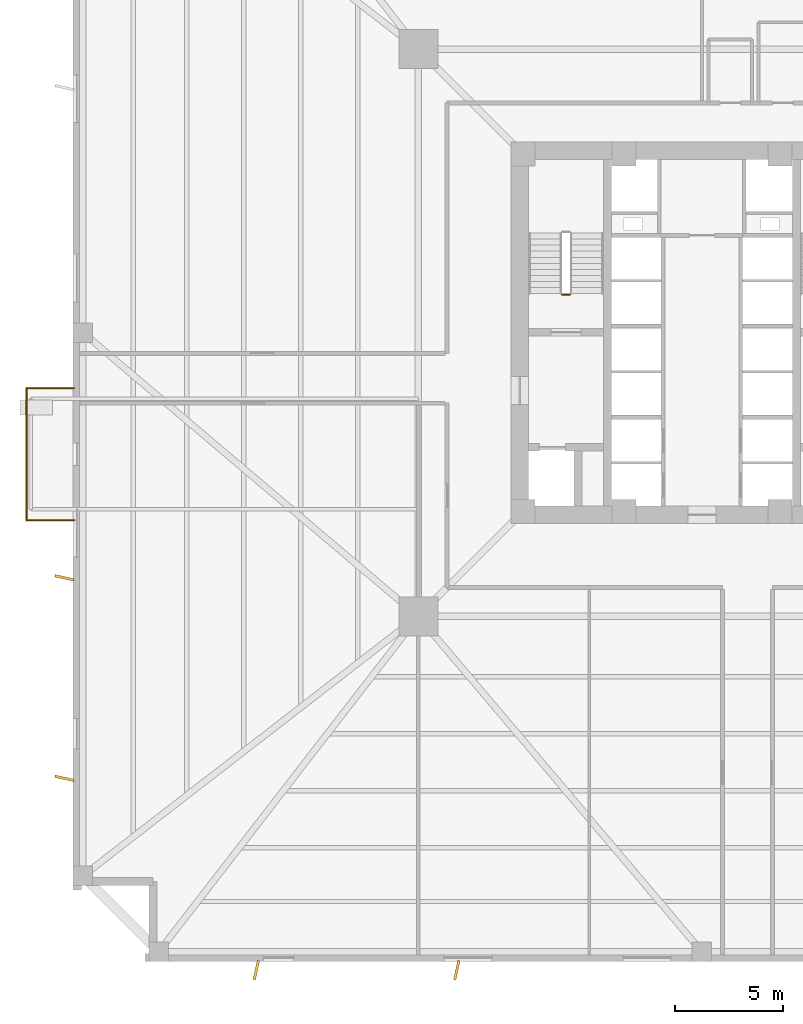
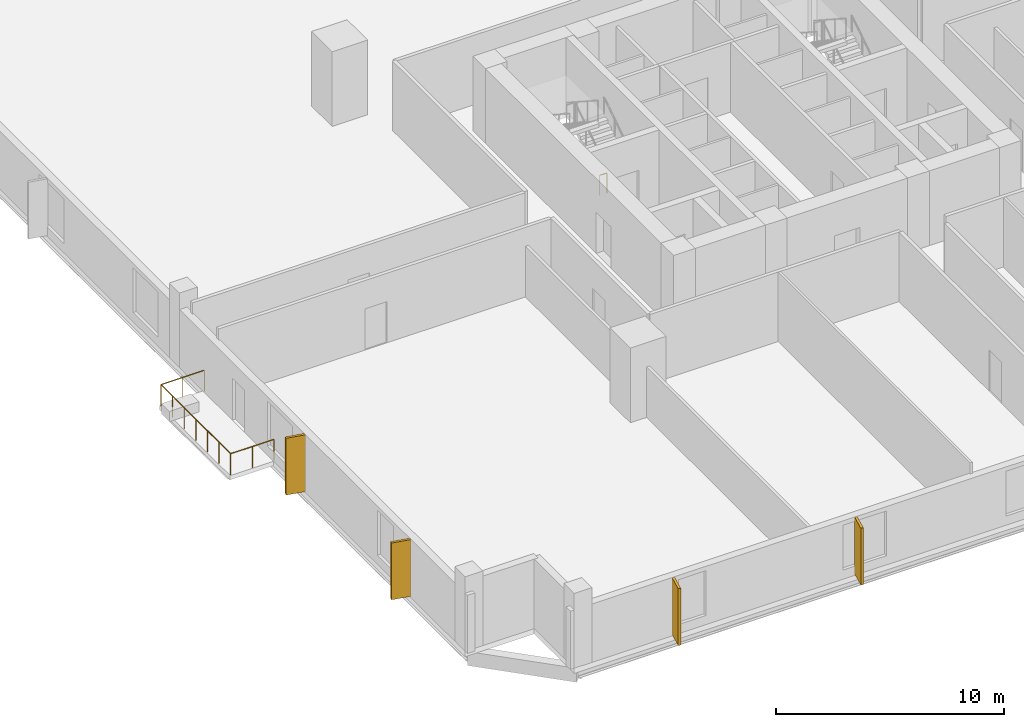
# One storey, part 6 of 9: 4 coverings, 4 railings.
"""IFC4 building model written with IfcOpenShell, lengths in metres."""

from ifc_helpers import new_model, si_unit, direction, frame, origin, origin_2d, place, context, subcontext, project, spatial, rectangle, circle, extrude, source, transform, mapped, material, layer, layer_set, type_object, element, save


model = new_model("IFC4")

# Units and contexts
model_context = context("Model", 3, precision=1e-05, world=origin(), true_north=direction((0.0, 1.0)))
body_context = subcontext(model_context, "Body", "Model", "MODEL_VIEW")
ifc_project = project(units=[si_unit("LENGTHUNIT", "METRE"), si_unit("AREAUNIT", "SQUARE_METRE"), si_unit("VOLUMEUNIT", "CUBIC_METRE"), si_unit("PLANEANGLEUNIT", "RADIAN"), si_unit("MASSUNIT", "GRAM", prefix="KILO"), si_unit("THERMODYNAMICTEMPERATUREUNIT", "KELVIN")], contexts=[model_context])

# Site, building, storey
site_placement = place(None, origin())
site = spatial("IfcSite", under=ifc_project, at=site_placement, CompositionType="ELEMENT")
building_placement = place(site_placement, origin())
building = spatial("IfcBuilding", under=site, at=building_placement, Name="Kosmvard Interchange Tower", CompositionType="ELEMENT")
storey_placement = place(building_placement, frame((0.0, 0.0, 58.0)))
storey = spatial("IfcBuildingStorey", under=building, at=storey_placement, Name="L13", CompositionType="ELEMENT", Elevation=58.0)

# Coverings
ifc_material_1 = material(Name="Architectural anodised aluminium", Category="aluminium")
ifc_layer = layer(ifc_material_1, 0.1201171875, Name="Architectural anodised aluminium")
ifc_layer_set = layer_set([ifc_layer], Name="Architectural anodised aluminium")
covering_type = type_object("IfcCoveringType", Name="Rotating Vertical Sun-Breaker Fin 900x120 Aluminium", PredefinedType="CLADDING", material=ifc_layer_set)
shared_shape_1 = source(origin(), body_context, "Body", "SweptSolid", [
    extrude(rectangle(XDim=0.89990234375, YDim=0.1201171875, at=origin_2d()), origin(), (0.0, 0.0, 1.0), 3.0400390625),
])
for number, where, z_axis, x_axis, name in (
    (1, (-20.552001953125, -29.39990234375, 0.0400390625), (0.0, 0.0, 1.0), (-0.214564862428, -0.976709741843, 0.0), "L13 Rotating Vertical Sun-Breaker Fin 01"),
    (2, (-11.3037109375, -29.39990234375, 0.0400390625), (0.0, 0.0, 1.0), (-0.214564862428, -0.976709741843, 0.0), "L13 Rotating Vertical Sun-Breaker Fin 02"),
    (3, (-29.39990234375, -11.3037109375, 0.0400390625), (0.0, 0.0, 1.0), (-0.976709741843, 0.214564862428, 0.0), "L13 Rotating Vertical Sun-Breaker Fin 15"),
    (4, (-29.39990234375, -20.552001953125, 0.0400390625), (0.0, 0.0, 1.0), (-0.976709741843, 0.214564862428, 0.0), "L13 Rotating Vertical Sun-Breaker Fin 16"),
):
    element("IfcCovering", number, at=place(storey_placement, frame(where, z_axis=z_axis, x_axis=x_axis)), inside=storey, type_object=covering_type, Name=name, PredefinedType="CLADDING", context=body_context, shape_type="MappedRepresentation", body=[
        mapped(shared_shape_1, transform((0.0, 0.0, 0.0), scale=1.0)),
    ])

# Railings
ifc_material_2 = material(Name="Steel S355", Category="steel")
railing_type_1 = type_object("IfcRailingType", Name="Observation & Balcony Glass-Infill Balustrade 1150", PredefinedType="BALUSTRADE", material=ifc_material_2)
shared_shape_2 = source(origin(), body_context, "Body", "SweptSolid", [
    extrude(circle(Radius=0.02392578125, at=origin_2d()), frame((0.0, 0.0, 1.1259765625), z_axis=(1.0, 0.0, 0.0), x_axis=(0.0, 1.0, 0.0)), (0.0, 0.0, 1.0), 2.199951171875),
    extrude(circle(Radius=0.02099609375, at=origin_2d()), origin(), (0.0, 0.0, 1.0), 1.101806640625),
    extrude(circle(Radius=0.02099609375, at=origin_2d()), frame((1.10009765625, 0.0, 0.0)), (0.0, 0.0, 1.0), 1.101806640625),
    extrude(circle(Radius=0.02099609375, at=origin_2d()), frame((2.199951171875, 0.0, 0.0)), (0.0, 0.0, 1.0), 1.101806640625),
])
railing_1_placement = place(storey_placement, frame((-31.14990234375, -8.64990234375, 0.0)))
element("IfcRailing", 5, at=railing_1_placement, inside=storey, type_object=railing_type_1, Name="L13 Outdoor Terrace Guard BAL-L13-W-C", PredefinedType="BALUSTRADE", context=body_context, shape_type="MappedRepresentation", body=[
    mapped(shared_shape_2, transform((0.0, 0.0, 0.0), scale=1.0)),
])
shared_shape_3 = source(origin(), body_context, "Body", "SweptSolid", [
    extrude(circle(Radius=0.02392578125, at=origin_2d()), frame((0.0, 0.0, 1.1259765625), z_axis=(-1.0, 0.0, 0.0), x_axis=(0.0, -1.0, 0.0)), (0.0, 0.0, 1.0), 2.199951171875),
    extrude(circle(Radius=0.02099609375, at=origin_2d()), origin(), (0.0, 0.0, 1.0), 1.101806640625),
    extrude(circle(Radius=0.02099609375, at=origin_2d()), frame((-1.10009765625, 0.0, 0.0)), (0.0, 0.0, 1.0), 1.101806640625),
    extrude(circle(Radius=0.02099609375, at=origin_2d()), frame((-2.199951171875, 0.0, 0.0)), (0.0, 0.0, 1.0), 1.101806640625),
])
railing_2_placement = place(storey_placement, frame((-28.949951171875, -2.550048828125, 0.0)))
element("IfcRailing", 6, at=railing_2_placement, inside=storey, type_object=railing_type_1, Name="L13 Outdoor Terrace Guard BAL-L13-W-A", PredefinedType="BALUSTRADE", context=body_context, shape_type="MappedRepresentation", body=[
    mapped(shared_shape_3, transform((0.0, 0.0, 0.0), scale=1.0)),
])
shared_shape_4 = source(origin(), body_context, "Body", "SweptSolid", [
    extrude(circle(Radius=0.02392578125, at=origin_2d()), frame((0.0, 0.0, 1.1259765625), z_axis=(0.0, -1.0, 0.0), x_axis=(1.0, 0.0, 0.0)), (0.0, 0.0, 1.0), 6.099853515625),
    extrude(circle(Radius=0.02099609375, at=origin_2d()), origin(), (0.0, 0.0, 1.0), 1.101806640625),
    extrude(circle(Radius=0.02099609375, at=origin_2d()), frame((0.0, -1.0166015625, 0.0)), (0.0, 0.0, 1.0), 1.101806640625),
    extrude(circle(Radius=0.02099609375, at=origin_2d()), frame((0.0, -2.033203125, 0.0)), (0.0, 0.0, 1.0), 1.101806640625),
    extrude(circle(Radius=0.02099609375, at=origin_2d()), frame((0.0, -3.0498046875, 0.0)), (0.0, 0.0, 1.0), 1.101806640625),
    extrude(circle(Radius=0.02099609375, at=origin_2d()), frame((0.0, -4.066650390625, 0.0)), (0.0, 0.0, 1.0), 1.101806640625),
    extrude(circle(Radius=0.02099609375, at=origin_2d()), frame((0.0, -5.083251953125, 0.0)), (0.0, 0.0, 1.0), 1.101806640625),
    extrude(circle(Radius=0.02099609375, at=origin_2d()), frame((0.0, -6.099853515625, 0.0)), (0.0, 0.0, 1.0), 1.101806640625),
])
railing_3_placement = place(storey_placement, frame((-31.14990234375, -2.550048828125, 0.0)))
element("IfcRailing", 7, at=railing_3_placement, inside=storey, type_object=railing_type_1, Name="L13 Outdoor Terrace Guard BAL-L13-W-B", PredefinedType="BALUSTRADE", context=body_context, shape_type="MappedRepresentation", body=[
    mapped(shared_shape_4, transform((0.0, 0.0, 0.0), scale=1.0)),
])
railing_type_2 = type_object("IfcRailingType", Name="Stair & Terrace Safety Guardrail 1100 Steel", PredefinedType="GUARDRAIL", material=ifc_material_2)
shared_shape_5 = source(origin(), body_context, "Body", "SweptSolid", [
    extrude(circle(Radius=0.02392578125, at=origin_2d()), frame((0.0, 0.0, 1.076171875), z_axis=(-1.0, 0.0, 0.0), x_axis=(0.0, -1.0, 0.0)), (0.0, 0.0, 1.0), 0.35986328125),
    extrude(circle(Radius=0.02099609375, at=origin_2d()), origin(), (0.0, 0.0, 1.0), 1.052001953125),
    extrude(circle(Radius=0.02099609375, at=origin_2d()), frame((-0.35986328125, 0.0, 0.0)), (0.0, 0.0, 1.0), 1.052001953125),
])
railing_4_placement = place(storey_placement, frame((-6.090087890625, 1.75, 0.0)))
element("IfcRailing", 8, at=railing_4_placement, inside=storey, type_object=railing_type_2, Name="L13 ST-1 stair guard 4", PredefinedType="GUARDRAIL", context=body_context, shape_type="MappedRepresentation", body=[
    mapped(shared_shape_5, transform((0.0, 0.0, 0.0), scale=1.0)),
])

save(model, "model.ifc")
